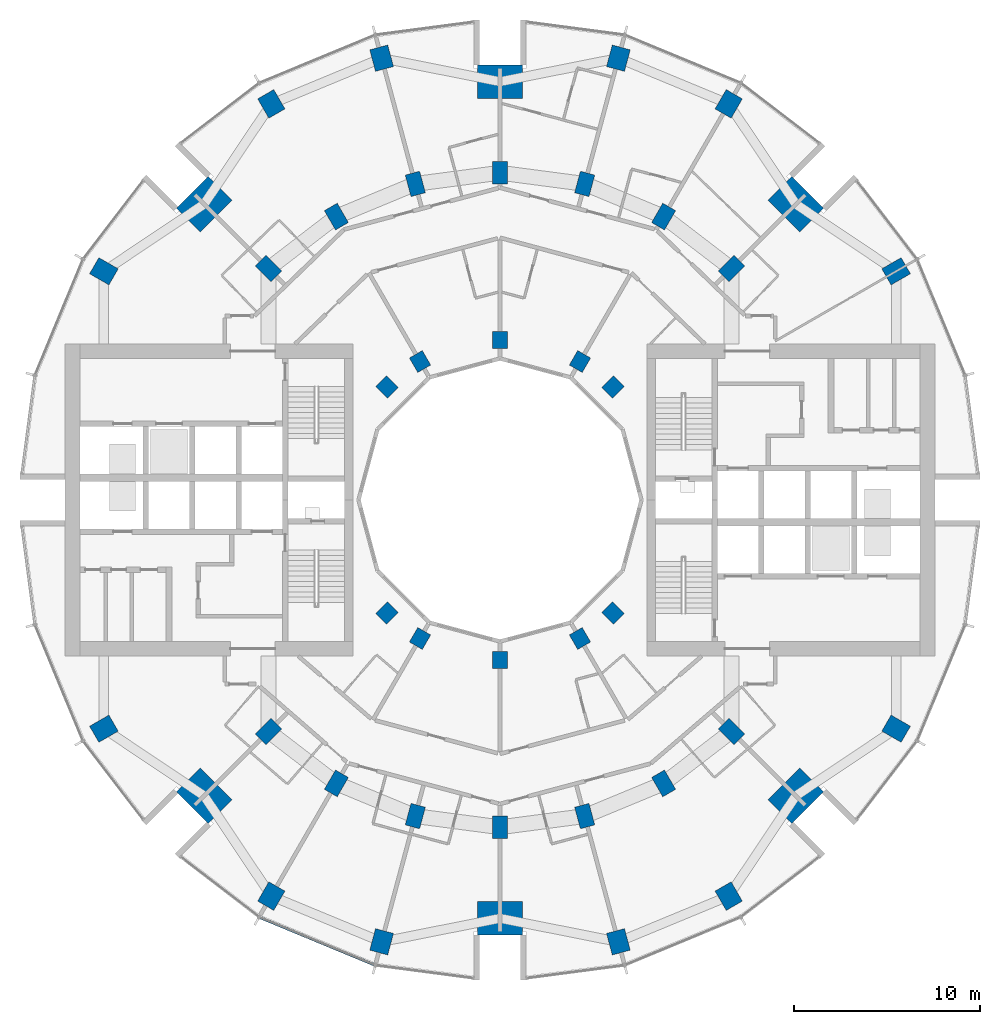
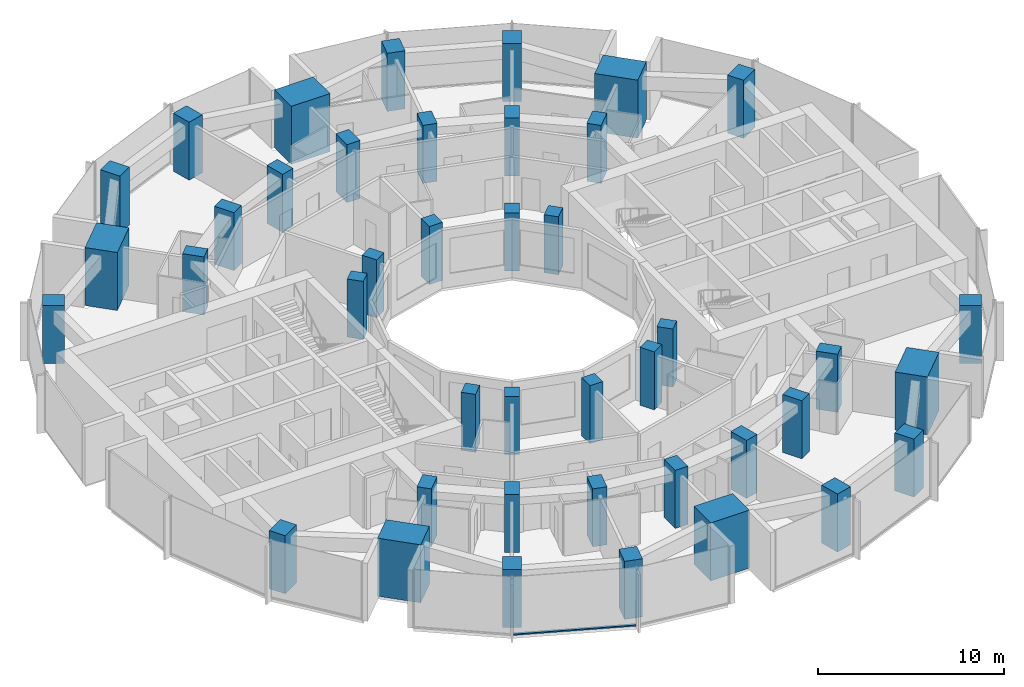
# One storey, part 1 of 15: 42 columns, 1 member, 1 element without a shape of its own.
"""IFC4 building model written with IfcOpenShell, lengths in metres."""

from ifc_helpers import new_model, si_unit, direction, frame, origin, origin_2d, place, context, subcontext, project, spatial, rectangle, extrude, material, layer, layer_set, material_profile, profile_set, type_object, element, aggregate, save


model = new_model("IFC4")

# Units and contexts
model_context = context("Model", 3, precision=1e-05, world=origin(), true_north=direction((0.0, 1.0)))
body_context = subcontext(model_context, "Body", "Model", "MODEL_VIEW")
ifc_project = project(units=[si_unit("LENGTHUNIT", "METRE"), si_unit("AREAUNIT", "SQUARE_METRE"), si_unit("VOLUMEUNIT", "CUBIC_METRE"), si_unit("PLANEANGLEUNIT", "RADIAN"), si_unit("MASSUNIT", "GRAM", prefix="KILO")], contexts=[model_context])

# Site, building, storey
site_placement = place(None, origin())
site = spatial("IfcSite", under=ifc_project, at=site_placement, CompositionType="ELEMENT")
building_placement = place(site_placement, origin())
building = spatial("IfcBuilding", under=site, at=building_placement, Name="Torre Brocal", CompositionType="ELEMENT")
storey_placement = place(building_placement, frame((0.0, 0.0, 105.199951171875)))
storey = spatial("IfcBuildingStorey", under=building, at=storey_placement, Name="L24", CompositionType="ELEMENT", Elevation=105.199951171875)

# Columns
ifc_material_1 = material(Name="Concrete C80", Category="concrete")
ifc_material_profile_1 = material_profile(ifc_material_1, rectangle(XDim=1.199951171875, YDim=1.0, at=origin_2d()), Name="RC 1200X1000")
ifc_profile_set_1 = profile_set([ifc_material_profile_1], Name="Concrete C80")
column_type_1 = type_object("IfcColumnType", Name="RC COLUMN 1200X1000 C80", PredefinedType="COLUMN", material=ifc_profile_set_1)
for number, where, z_axis, x_axis, name in (
    (1, (101.30419921875, 87.300048828125, 0.0), (0.0, 0.0, 1.0), (0.866025403784, 0.5, 0.0), "Column C-O02"),
    (2, (92.300048828125, 96.30419921875, 0.0), (0.0, 0.0, 1.0), (0.5, 0.866025403784, 0.0), "Column C-O04"),
    (3, (86.366943359375, 98.76171875, 0.0), (0.0, 0.0, 1.0), (0.258819045103, 0.965925826289, 0.0), "Column C-O05"),
    (4, (73.633056640625, 98.76171875, 0.0), (0.0, 0.0, 1.0), (-0.258819045103, 0.965925826289, 0.0), "Column C-O07"),
    (5, (67.699951171875, 96.30419921875, 0.0), (0.0, 0.0, 1.0), (-0.5, 0.866025403784, 0.0), "Column C-O08"),
    (6, (58.69580078125, 87.300048828125, 0.0), (0.0, 0.0, 1.0), (-0.866025403784, 0.5, 0.0), "Column C-O10"),
    (7, (58.69580078125, 62.699951171875, 0.0), (0.0, 0.0, 1.0), (-0.866025403784, -0.5, 0.0), "Column C-O14"),
    (8, (67.699951171875, 53.69580078125, 0.0), (0.0, 0.0, 1.0), (-0.5, -0.866025403784, 0.0), "Column C-O16"),
    (9, (73.633056640625, 51.23828125, 0.0), (0.0, 0.0, 1.0), (-0.258819045103, -0.965925826289, 0.0), "Column C-O17"),
    (10, (86.366943359375, 51.23828125, 0.0), (0.0, 0.0, 1.0), (0.258819045103, -0.965925826289, 0.0), "Column C-O19"),
    (11, (92.300048828125, 53.69580078125, 0.0), (0.0, 0.0, 1.0), (0.5, -0.866025403784, 0.0), "Column C-O20"),
    (12, (101.30419921875, 62.699951171875, 0.0), (0.0, 0.0, 1.0), (0.866025403784, -0.5, 0.0), "Column C-O22"),
):
    element("IfcColumn", number, at=place(storey_placement, frame(where, z_axis=z_axis, x_axis=x_axis)), inside=storey, type_object=column_type_1, Name=name, PredefinedType="COLUMN", context=body_context, shape_type="SweptSolid", body=[
        extrude(rectangle(XDim=1.199951171875, YDim=1.0, at=origin_2d()), origin(), (0.0, 0.0, 1.0), 3.800048828125),
    ])
ifc_material_2 = material(Name="Concrete C80", Category="concrete")
ifc_material_profile_2 = material_profile(ifc_material_2, rectangle(XDim=1.199951171875, YDim=0.800048828125, at=origin_2d()), Name="RC 1200X800")
ifc_profile_set_2 = profile_set([ifc_material_profile_2], Name="Concrete C80")
column_type_2 = type_object("IfcColumnType", Name="RC COLUMN 1200X800 C80", PredefinedType="COLUMN", material=ifc_profile_set_2)
for number, where, z_axis, x_axis, name in (
    (13, (92.445068359375, 87.445068359375, 0.0), (0.0, 0.0, 1.0), (0.707106781187, 0.707106781187, 0.0), "Column C-M03"),
    (14, (88.800048828125, 90.241943359375, 0.0), (0.0, 0.0, 1.0), (0.5, 0.866025403784, 0.0), "Column C-M04"),
    (15, (84.55517578125, 92.000244140625, 0.0), (0.0, 0.0, 1.0), (0.258819045103, 0.965925826289, 0.0), "Column C-M05"),
    (16, (80.0, 92.60009765625, 0.0), (0.0, 0.0, 1.0), (0.0, 1.0, 0.0), "Column C-M06"),
    (17, (75.44482421875, 92.000244140625, 0.0), (0.0, 0.0, 1.0), (-0.258819045103, 0.965925826289, 0.0), "Column C-M07"),
    (18, (71.199951171875, 90.241943359375, 0.0), (0.0, 0.0, 1.0), (-0.5, 0.866025403784, 0.0), "Column C-M08"),
    (19, (67.554931640625, 87.445068359375, 0.0), (0.0, 0.0, 1.0), (-0.707106781187, 0.707106781187, 0.0), "Column C-M09"),
    (20, (67.554931640625, 62.554931640625, 0.0), (0.0, 0.0, 1.0), (-0.707106781187, -0.707106781187, 0.0), "Column C-M15"),
    (21, (71.199951171875, 59.758056640625, 0.0), (0.0, 0.0, 1.0), (-0.5, -0.866025403784, 0.0), "Column C-M16"),
    (22, (75.44482421875, 57.999755859375, 0.0), (0.0, 0.0, 1.0), (-0.258819045103, -0.965925826289, 0.0), "Column C-M17"),
    (23, (80.0, 57.39990234375, 0.0), (0.0, 0.0, 1.0), (0.0, -1.0, 0.0), "Column C-M18"),
    (24, (84.55517578125, 57.999755859375, 0.0), (0.0, 0.0, 1.0), (0.258819045103, -0.965925826289, 0.0), "Column C-M19"),
    (25, (88.800048828125, 59.758056640625, 0.0), (0.0, 0.0, 1.0), (0.5, -0.866025403784, 0.0), "Column C-M20"),
    (26, (92.445068359375, 62.554931640625, 0.0), (0.0, 0.0, 1.0), (0.707106781187, -0.707106781187, 0.0), "Column C-M21"),
):
    element("IfcColumn", number, at=place(storey_placement, frame(where, z_axis=z_axis, x_axis=x_axis)), inside=storey, type_object=column_type_2, Name=name, PredefinedType="COLUMN", context=body_context, shape_type="SweptSolid", body=[
        extrude(rectangle(XDim=1.199951171875, YDim=0.800048828125, at=origin_2d()), origin(), (0.0, 0.0, 1.0), 3.800048828125),
    ])
ifc_material_3 = material(Name="Concrete C80", Category="concrete")
ifc_material_profile_3 = material_profile(ifc_material_3, rectangle(XDim=1.800048828125, YDim=2.39990234375, at=origin_2d()), Name="RC 1800X2400")
ifc_profile_set_3 = profile_set([ifc_material_profile_3], Name="Concrete C80")
column_type_3 = type_object("IfcColumnType", Name="RC COLUMN 1800X2400 C80", PredefinedType="COLUMN", material=ifc_profile_set_3)
for number, where, z_axis, x_axis, name in (
    (27, (95.909912109375, 90.909912109375, 0.0), (0.0, 0.0, 1.0), (0.707106781187, 0.707106781187, 0.0), "Column MC-1"),
    (28, (80.0, 97.5, 0.0), (0.0, 0.0, 1.0), (0.0, 1.0, 0.0), "Column MC-2"),
    (29, (64.090087890625, 90.909912109375, 0.0), (0.0, 0.0, 1.0), (-0.707106781187, 0.707106781187, 0.0), "Column MC-3"),
    (30, (64.090087890625, 59.090087890625, 0.0), (0.0, 0.0, 1.0), (-0.707106781187, -0.707106781187, 0.0), "Column MC-5"),
    (31, (80.0, 52.5, 0.0), (0.0, 0.0, 1.0), (0.0, -1.0, 0.0), "Column MC-6"),
    (32, (95.909912109375, 59.090087890625, 0.0), (0.0, 0.0, 1.0), (0.707106781187, -0.707106781187, 0.0), "Column MC-7"),
):
    element("IfcColumn", number, at=place(storey_placement, frame(where, z_axis=z_axis, x_axis=x_axis)), inside=storey, type_object=column_type_3, Name=name, PredefinedType="COLUMN", context=body_context, shape_type="SweptSolid", body=[
        extrude(rectangle(XDim=1.800048828125, YDim=2.39990234375, at=origin_2d()), origin(), (0.0, 0.0, 1.0), 3.800048828125),
    ])
ifc_material_4 = material(Name="Concrete C80", Category="concrete")
ifc_material_profile_4 = material_profile(ifc_material_4, rectangle(XDim=0.89990234375, YDim=0.800048828125, at=origin_2d()), Name="RC 900X800")
ifc_profile_set_4 = profile_set([ifc_material_profile_4], Name="Concrete C80")
column_type_4 = type_object("IfcColumnType", Name="RC COLUMN 900X800 C80", PredefinedType="COLUMN", material=ifc_profile_set_4)
for number, where, z_axis, x_axis, name in (
    (33, (86.0810546875, 81.0810546875, 0.0), (0.0, 0.0, 1.0), (0.707106781187, 0.707106781187, 0.0), "Column C-I03"),
    (34, (84.300048828125, 82.44775390625, 0.0), (0.0, 0.0, 1.0), (0.5, 0.866025403784, 0.0), "Column C-I04"),
    (35, (80.0, 83.60009765625, 0.0), (0.0, 0.0, 1.0), (0.0, 1.0, 0.0), "Column C-I06"),
    (36, (75.699951171875, 82.44775390625, 0.0), (0.0, 0.0, 1.0), (-0.5, 0.866025403784, 0.0), "Column C-I08"),
    (37, (73.9189453125, 81.0810546875, 0.0), (0.0, 0.0, 1.0), (-0.707106781187, 0.707106781187, 0.0), "Column C-I09"),
    (38, (73.9189453125, 68.9189453125, 0.0), (0.0, 0.0, 1.0), (-0.707106781187, -0.707106781187, 0.0), "Column C-I15"),
    (39, (75.699951171875, 67.55224609375, 0.0), (0.0, 0.0, 1.0), (-0.5, -0.866025403784, 0.0), "Column C-I16"),
    (40, (80.0, 66.39990234375, 0.0), (0.0, 0.0, 1.0), (0.0, -1.0, 0.0), "Column C-I18"),
    (41, (84.300048828125, 67.55224609375, 0.0), (0.0, 0.0, 1.0), (0.5, -0.866025403784, 0.0), "Column C-I20"),
    (42, (86.0810546875, 68.9189453125, 0.0), (0.0, 0.0, 1.0), (0.707106781187, -0.707106781187, 0.0), "Column C-I21"),
):
    element("IfcColumn", number, at=place(storey_placement, frame(where, z_axis=z_axis, x_axis=x_axis)), inside=storey, type_object=column_type_4, Name=name, PredefinedType="COLUMN", context=body_context, shape_type="SweptSolid", body=[
        extrude(rectangle(XDim=0.89990234375, YDim=0.800048828125, at=origin_2d()), origin(), (0.0, 0.0, 1.0), 3.800048828125),
    ])

# Curtain wall, member
ifc_material_5 = material(Name="Aluminium and glass", Category="aluminium")
ifc_layer = layer(ifc_material_5, 0.199951171875)
ifc_layer_set = layer_set([ifc_layer], Name="Aluminium and glass")
curtain_wall_type = type_object("IfcCurtainWallType", Name="CW-1 CURTAIN WALL 3800 HIGH", PredefinedType="NOTDEFINED", material=ifc_layer_set)
curtain_wall_placement = place(storey_placement, origin())
curtain_wall = element("IfcCurtainWall", 43, at=curtain_wall_placement, inside=storey, type_object=curtain_wall_type, Name="CW-1 RUN 17", PredefinedType="NOTDEFINED")
ifc_material_6 = material(Name="Aluminium, dark anodised", Category="aluminium")
ifc_material_profile_5 = material_profile(ifc_material_6, rectangle(XDim=0.159912109375, YDim=0.080078125, at=origin_2d()), Name="CW-1 TRANSOM 160X80")
ifc_profile_set_5 = profile_set([ifc_material_profile_5], Name="Aluminium, dark anodised")
member_type = type_object("IfcMemberType", Name="CW-1 TRANSOM 160X80", PredefinedType="USERDEFINED", material=ifc_profile_set_5)
member_placement = place(storey_placement, frame((67.10595703125, 52.547607421875, 0.0400390625), z_axis=(0.923887344364, -0.38266457234, 0.0), x_axis=(0.38266457234, 0.923887344364, 0.0)))
member = element("IfcMember", 44, at=member_placement, type_object=member_type, Name="CW1-1 transom 1.1", ObjectType="TRANSOM", PredefinedType="USERDEFINED", context=body_context, shape_type="SweptSolid", body=[
    extrude(rectangle(XDim=0.159912109375, YDim=0.080078125, at=origin_2d()), origin(), (0.0, 0.0, 1.0), 6.640869140625),
])
aggregate(curtain_wall, [member])

save(model, "model.ifc")
